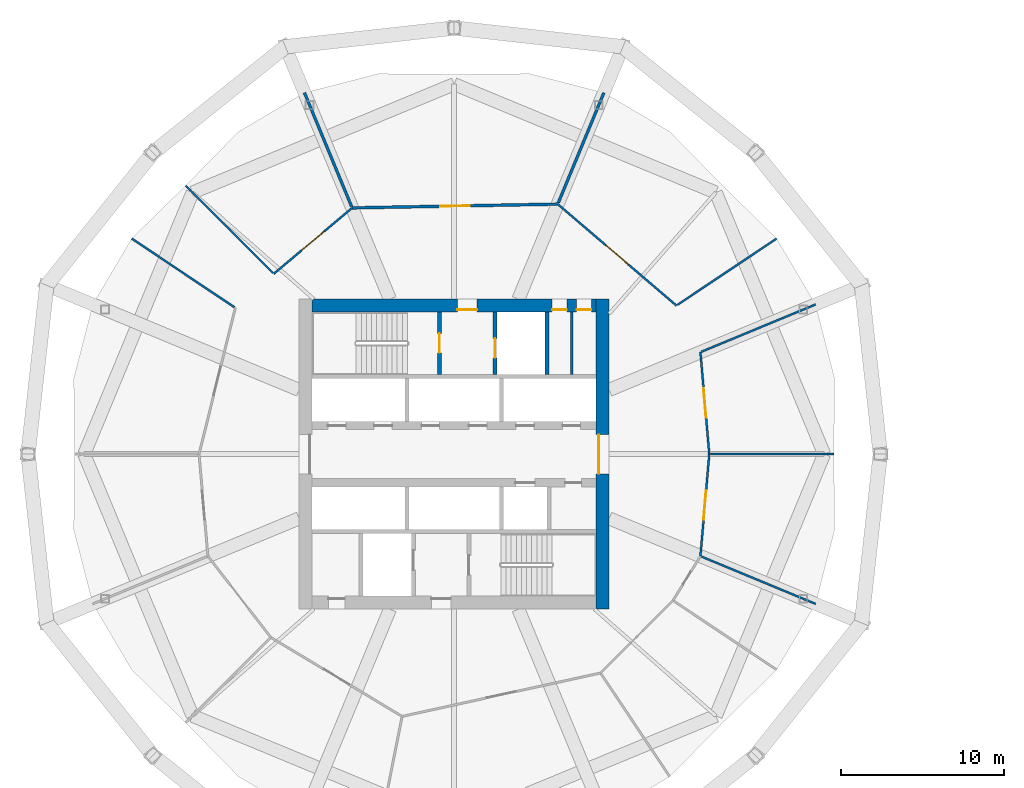
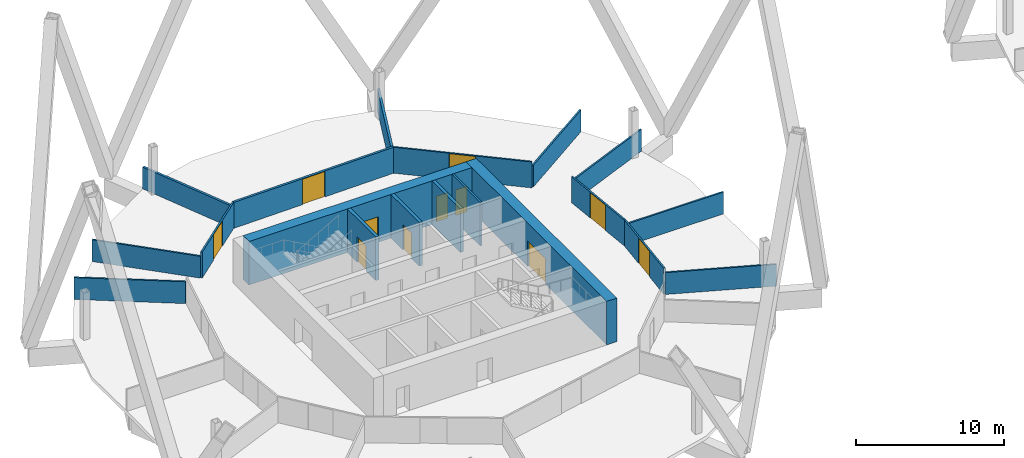
# One storey, part 5 of 9: 19 walls, 11 doors, 11 openings.
"""IFC4 building model written with IfcOpenShell, lengths in metres."""

from ifc_helpers import new_model, si_unit, direction, frame, frame_2d, origin, place, context, subcontext, project, spatial, rectangle, extrude, material, layer, layer_set, type_object, element, fill, save


model = new_model("IFC4")

# Units and contexts
model_context = context("Model", 3, precision=1e-05, world=origin(), true_north=direction((0.0, 1.0)))
body_context = subcontext(model_context, "Body", "Model", "MODEL_VIEW")
ifc_project = project(units=[si_unit("LENGTHUNIT", "METRE"), si_unit("AREAUNIT", "SQUARE_METRE"), si_unit("VOLUMEUNIT", "CUBIC_METRE"), si_unit("PLANEANGLEUNIT", "RADIAN"), si_unit("MASSUNIT", "GRAM", prefix="KILO")], contexts=[model_context])

# Site, building, storey
site_placement = place(None, origin())
site = spatial("IfcSite", under=ifc_project, at=site_placement, CompositionType="ELEMENT")
building_placement = place(site_placement, origin())
building = spatial("IfcBuilding", under=site, at=building_placement, Name="Ogive Gate Towers", CompositionType="ELEMENT")
storey_placement = place(building_placement, frame((0.0, 0.0, 95.699951171875)))
storey = spatial("IfcBuildingStorey", under=building, at=storey_placement, Name="L22", CompositionType="ELEMENT", Elevation=95.699951171875)

# Walls
ifc_material_1 = material(Name="Gypsum board acoustic partition")
ifc_layer_1 = layer(ifc_material_1, 0.175048828125)
ifc_layer_set_1 = layer_set([ifc_layer_1], Name="Acoustic partition 175")
wall_type_1 = type_object("IfcWallType", Name="Acoustic partition 175", PredefinedType="PARTITIONING", material=ifc_layer_set_1)
wall_1_placement = place(storey_placement, frame((-26.8271484375, 22.1455078125, 0.0), z_axis=(0.0, 0.0, 1.0), x_axis=(-0.382651040755, -0.92389294889, 0.0)))
element("IfcWall", 1, at=wall_1_placement, inside=storey, type_object=wall_type_1, Name="Partition T1-L22-004", PredefinedType="PARTITIONING", context=body_context, shape_type="SweptSolid", body=[
    extrude(rectangle(XDim=7.301513671875, YDim=0.175048828125, at=frame_2d((3.65087890625, 0.0))), origin(), (0.0, 0.0, 1.0), 1.800048828125),
])
wall_2_placement = place(storey_placement, frame((-45.1728515625, 22.1455078125, 0.0), z_axis=(0.0, 0.0, 1.0), x_axis=(0.382656362014, -0.923890744953, 0.0)))
element("IfcWall", 2, at=wall_2_placement, inside=storey, type_object=wall_type_1, Name="Partition T1-L22-005", PredefinedType="PARTITIONING", context=body_context, shape_type="SweptSolid", body=[
    extrude(rectangle(XDim=7.551513671875, YDim=0.175048828125, at=frame_2d((3.77587890625, 0.0))), origin(), (0.0, 0.0, 1.0), 1.800048828125),
])

# Wall, opening, door
wall_3_placement = place(storey_placement, frame((-29.65478515625, 15.31884765625, 0.0), z_axis=(0.0, 0.0, 1.0), x_axis=(-0.999831908643, -0.018334515499, 0.0)))
wall_3 = element("IfcWall", 3, at=wall_3_placement, inside=storey, type_object=wall_type_1, Name="Partition T1-L22-016", PredefinedType="PARTITIONING", context=body_context, shape_type="SweptSolid", body=[
    extrude(rectangle(XDim=12.596923828125, YDim=0.175048828125, at=frame_2d((6.29833984375, 0.0))), origin(), (0.0, 0.0, 1.0), 2.14013671875),
])
opening_1_placement = place(wall_3_placement, frame((5.39892578125, 0.0, 0.0)))
opening_1 = element("IfcOpeningElement", 4, at=opening_1_placement, cuts=wall_3, Name="Opening T1-L22-D02", PredefinedType="OPENING", context=body_context, shape_type="SweptSolid", body=[
    extrude(rectangle(XDim=1.800048828125, YDim=2.10009765625, at=frame_2d((0.89990234375, 1.050048828125))), frame((0.0, 0.09765625, 0.0), z_axis=(0.0, -1.0, 0.0), x_axis=(1.0, 0.0, 0.0)), (0.0, 0.0, 1.0), 0.195068359375),
])
ifc_material_2 = material(Name="Timber door", Category="wood")
door_type_1 = type_object("IfcDoorType", Name="Door pair 1800", OperationType="NOTDEFINED", PredefinedType="DOOR", material=ifc_material_2)
door_1_placement = place(opening_1_placement, origin())
door_1 = element("IfcDoor", 5, at=door_1_placement, inside=storey, type_object=door_type_1, Name="Door T1-L22-D02", OperationType="DOUBLE_DOOR_DOUBLE_SWING", OverallHeight=2.10009765625, OverallWidth=1.800048828125, PredefinedType="DOOR", context=body_context, shape_type="SweptSolid", body=[
    extrude(rectangle(XDim=1.800048828125, YDim=2.10009765625, at=frame_2d((0.89990234375, 1.050048828125))), frame((0.0, 0.02490234375, 0.0), z_axis=(0.0, -1.0, 0.0), x_axis=(1.0, 0.0, 0.0)), (0.0, 0.0, 1.0), 0.050048828125),
])
fill(opening_1, door_1)

# Wall, openings, doors
ifc_material_3 = material(Name="Concrete C60/75", Category="concrete")
ifc_layer_2 = layer(ifc_material_3, 0.800048828125)
ifc_layer_set_2 = layer_set([ifc_layer_2], Name="Core wall 800 mm")
wall_type_2 = type_object("IfcWallType", Name="Core wall 800 mm", PredefinedType="SHEAR", material=ifc_layer_set_2)
wall_4_placement = place(storey_placement, frame((-44.699951171875, 9.10009765625, 0.0), z_axis=(0.0, 0.0, 1.0), x_axis=(1.0, 0.0, 0.0)))
wall_4 = element("IfcWall", 6, at=wall_4_placement, inside=storey, type_object=wall_type_2, Name="T1 L22 Core wall 800 mm", PredefinedType="SHEAR", context=body_context, shape_type="SweptSolid", body=[
    extrude(rectangle(XDim=17.39990234375, YDim=0.800048828125, at=frame_2d((8.699951171875, 0.0))), origin(), (0.0, 0.0, 1.0), 3.60009765625),
])
opening_2_placement = place(wall_4_placement, frame((8.89990234375, 0.0, 0.0)))
opening_2 = element("IfcOpeningElement", 7, at=opening_2_placement, cuts=wall_4, Name="Opening KD-T1-L22-15", PredefinedType="OPENING", context=body_context, shape_type="SweptSolid", body=[
    extrude(rectangle(XDim=1.199951171875, YDim=2.10009765625, at=frame_2d((0.60009765625, 1.050048828125))), frame((0.0, 0.41015625, 0.0), z_axis=(0.0, -1.0, 0.0), x_axis=(1.0, 0.0, 0.0)), (0.0, 0.0, 1.0), 0.820068359375),
])
opening_3_placement = place(wall_4_placement, frame((14.699951171875, 0.0, 0.0)))
opening_3 = element("IfcOpeningElement", 8, at=opening_3_placement, cuts=wall_4, Name="Opening KD-T1-L22-17", PredefinedType="OPENING", context=body_context, shape_type="SweptSolid", body=[
    extrude(rectangle(XDim=0.89990234375, YDim=2.10009765625, at=frame_2d((0.449951171875, 1.050048828125))), frame((0.0, 0.41015625, 0.0), z_axis=(0.0, -1.0, 0.0), x_axis=(1.0, 0.0, 0.0)), (0.0, 0.0, 1.0), 0.820068359375),
])
opening_4_placement = place(wall_4_placement, frame((16.199951171875, 0.0, 0.0)))
opening_4 = element("IfcOpeningElement", 9, at=opening_4_placement, cuts=wall_4, Name="Opening KD-T1-L22-18", PredefinedType="OPENING", context=body_context, shape_type="SweptSolid", body=[
    extrude(rectangle(XDim=0.89990234375, YDim=2.10009765625, at=frame_2d((0.449951171875, 1.050048828125))), frame((0.0, 0.41015625, 0.0), z_axis=(0.0, -1.0, 0.0), x_axis=(1.0, 0.0, 0.0)), (0.0, 0.0, 1.0), 0.820068359375),
])
door_type_2 = type_object("IfcDoorType", Name="Core WC door 900 x 2100", OperationType="NOTDEFINED", PredefinedType="DOOR", material=ifc_material_2)
door_2_placement = place(opening_3_placement, origin())
door_2 = element("IfcDoor", 10, at=door_2_placement, inside=storey, type_object=door_type_2, Name="T1 L22 Core door", OperationType="SINGLE_SWING_RIGHT", OverallHeight=2.10009765625, OverallWidth=0.89990234375, PredefinedType="DOOR", context=body_context, shape_type="SweptSolid", body=[
    extrude(rectangle(XDim=0.89990234375, YDim=2.10009765625, at=frame_2d((0.449951171875, 1.050048828125))), frame((0.0, -0.22509765625, 0.0), z_axis=(0.0, -1.0, 0.0), x_axis=(1.0, 0.0, 0.0)), (0.0, 0.0, 1.0), 0.050048828125),
])
fill(opening_3, door_2)
door_3_placement = place(opening_4_placement, origin())
door_3 = element("IfcDoor", 11, at=door_3_placement, inside=storey, type_object=door_type_2, Name="T1 L22 Core door", OperationType="SINGLE_SWING_LEFT", OverallHeight=2.10009765625, OverallWidth=0.89990234375, PredefinedType="DOOR", context=body_context, shape_type="SweptSolid", body=[
    extrude(rectangle(XDim=0.89990234375, YDim=2.10009765625, at=frame_2d((0.449951171875, 1.050048828125))), frame((0.0, -0.22509765625, 0.0), z_axis=(0.0, -1.0, 0.0), x_axis=(1.0, 0.0, 0.0)), (0.0, 0.0, 1.0), 0.050048828125),
])
fill(opening_4, door_3)
ifc_material_4 = material(Name="Steel fire door", Category="steel")
door_type_3 = type_object("IfcDoorType", Name="Core door FD60S 1200 x 2100", OperationType="NOTDEFINED", PredefinedType="DOOR", material=ifc_material_4)
door_4_placement = place(opening_2_placement, origin())
door_4 = element("IfcDoor", 12, at=door_4_placement, inside=storey, type_object=door_type_3, Name="T1 L22 Fire-fighting lobby door", OperationType="SINGLE_SWING_RIGHT", OverallHeight=2.10009765625, OverallWidth=1.199951171875, PredefinedType="DOOR", context=body_context, shape_type="SweptSolid", body=[
    extrude(rectangle(XDim=1.199951171875, YDim=2.10009765625, at=frame_2d((0.60009765625, 1.050048828125))), frame((0.0, -0.22509765625, 0.0), z_axis=(0.0, -1.0, 0.0), x_axis=(1.0, 0.0, 0.0)), (0.0, 0.0, 1.0), 0.050048828125),
])
fill(opening_2, door_4)

# Wall, opening, door
wall_5_placement = place(storey_placement, frame((-26.89990234375, -9.5, 0.0), z_axis=(0.0, 0.0, 1.0), x_axis=(0.0, 1.0, 0.0)))
wall_5 = element("IfcWall", 13, at=wall_5_placement, inside=storey, type_object=wall_type_2, Name="T1 L22 Core wall 800 mm", PredefinedType="SHEAR", context=body_context, shape_type="SweptSolid", body=[
    extrude(rectangle(XDim=19.0, YDim=0.800048828125, at=frame_2d((9.5, 0.0))), origin(), (0.0, 0.0, 1.0), 3.60009765625),
])
opening_5_placement = place(wall_5_placement, frame((8.300048828125, 0.0, 0.0)))
opening_5 = element("IfcOpeningElement", 14, at=opening_5_placement, cuts=wall_5, Name="Opening KD-T1-L22-02", PredefinedType="OPENING", context=body_context, shape_type="SweptSolid", body=[
    extrude(rectangle(XDim=2.39990234375, YDim=2.10009765625, at=frame_2d((1.199951171875, 1.050048828125))), frame((0.0, 0.41015625, 0.0), z_axis=(0.0, -1.0, 0.0), x_axis=(1.0, 0.0, 0.0)), (0.0, 0.0, 1.0), 0.820068359375),
])
door_type_4 = type_object("IfcDoorType", Name="Core double door FD60S 2400 x 2100", OperationType="DOUBLE_DOOR_SINGLE_SWING", PredefinedType="DOOR", material=ifc_material_4)
door_5_placement = place(opening_5_placement, origin())
door_5 = element("IfcDoor", 15, at=door_5_placement, inside=storey, type_object=door_type_4, Name="T1 L22 Core door double", OperationType="DOUBLE_DOOR_SINGLE_SWING", OverallHeight=2.10009765625, OverallWidth=2.39990234375, PredefinedType="DOOR", context=body_context, shape_type="SweptSolid", body=[
    extrude(rectangle(XDim=2.39990234375, YDim=2.10009765625, at=frame_2d((1.199951171875, 1.050048828125))), frame((0.0, 0.27490234375, 0.0), z_axis=(0.0, -1.0, 0.0), x_axis=(1.0, 0.0, 0.0)), (0.0, 0.0, 1.0), 0.050048828125),
])
fill(opening_5, door_5)

# Walls
ifc_material_5 = material(Name="Gypsum board partition")
ifc_layer_3 = layer(ifc_material_5, 0.125)
ifc_layer_set_3 = layer_set([ifc_layer_3], Name="Partition 125")
wall_type_3 = type_object("IfcWallType", Name="Partition 125", PredefinedType="PARTITIONING", material=ifc_layer_set_3)
for number, where, z_axis, x_axis, name in (
    (16, (-12.73095703125, 0.0, 0.0), (0.0, 0.0, 1.0), (-1.0, 0.0, 0.0), "Partition T1-L22-001"),
    (17, (-13.8544921875, 9.1728515625, 0.0), (0.0, 0.0, 1.0), (-0.923883306307, -0.382674321488, 0.0), "Partition T1-L22-002"),
):
    element("IfcWall", number, at=place(storey_placement, frame(where, z_axis=z_axis, x_axis=x_axis)), inside=storey, type_object=wall_type_3, Name=name, PredefinedType="PARTITIONING", context=body_context, shape_type="SweptSolid", body=[
        extrude(rectangle(XDim=7.57666015625, YDim=0.125, at=frame_2d((3.788330078125, 0.0))), origin(), (0.0, 0.0, 1.0), 1.800048828125),
    ])
wall_6_placement = place(storey_placement, frame((-16.240478515625, 13.2119140625, 0.0), z_axis=(0.0, 0.0, 1.0), x_axis=(-0.831290762981, -0.555837806723, 0.0)))
element("IfcWall", 18, at=wall_6_placement, inside=storey, type_object=wall_type_3, Name="Partition T1-L22-003", PredefinedType="PARTITIONING", context=body_context, shape_type="SweptSolid", body=[
    extrude(rectangle(XDim=7.326416015625, YDim=0.125, at=frame_2d((3.6630859375, 0.0))), origin(), (0.0, 0.0, 1.0), 1.800048828125),
])
wall_7_placement = place(storey_placement, frame((-52.45361328125, 16.45361328125, 0.0), z_axis=(0.0, 0.0, 1.0), x_axis=(0.707106781187, -0.707106781187, 0.0)))
element("IfcWall", 19, at=wall_7_placement, inside=storey, type_object=wall_type_3, Name="Partition T1-L22-006", PredefinedType="PARTITIONING", context=body_context, shape_type="SweptSolid", body=[
    extrude(rectangle(XDim=7.57666015625, YDim=0.125, at=frame_2d((3.788330078125, 0.0))), origin(), (0.0, 0.0, 1.0), 1.800048828125),
])
wall_8_placement = place(storey_placement, frame((-55.759521484375, 13.2119140625, 0.0), z_axis=(0.0, 0.0, 1.0), x_axis=(0.831300960788, -0.555822554951, 0.0)))
element("IfcWall", 20, at=wall_8_placement, inside=storey, type_object=wall_type_3, Name="Partition T1-L22-007", PredefinedType="PARTITIONING", context=body_context, shape_type="SweptSolid", body=[
    extrude(rectangle(XDim=7.576416015625, YDim=0.125, at=frame_2d((3.7880859375, 0.0))), origin(), (0.0, 0.0, 1.0), 1.800048828125),
])
wall_9_placement = place(storey_placement, frame((-13.8544921875, -9.1728515625, 0.0), z_axis=(0.0, 0.0, 1.0), x_axis=(-0.923883306307, 0.382674321488, 0.0)))
element("IfcWall", 21, at=wall_9_placement, inside=storey, type_object=wall_type_3, Name="Partition T1-L22-014", PredefinedType="PARTITIONING", context=body_context, shape_type="SweptSolid", body=[
    extrude(rectangle(XDim=7.57666015625, YDim=0.125, at=frame_2d((3.788330078125, 0.0))), origin(), (0.0, 0.0, 1.0), 1.800048828125),
])

# Wall, opening, door
wall_10_placement = place(storey_placement, frame((-22.3828125, 9.10498046875, 0.0), z_axis=(0.0, 0.0, 1.0), x_axis=(-0.760250240989, 0.649630334172, 0.0)))
wall_10 = element("IfcWall", 22, at=wall_10_placement, inside=storey, type_object=wall_type_3, Name="Partition T1-L22-015", PredefinedType="PARTITIONING", context=body_context, shape_type="SweptSolid", body=[
    extrude(rectangle(XDim=9.565185546875, YDim=0.125, at=frame_2d((4.78271484375, 0.0))), origin(), (0.0, 0.0, 1.0), 2.14013671875),
])
opening_6_placement = place(wall_10_placement, frame((3.883056640625, 0.0, 0.0)))
opening_6 = element("IfcOpeningElement", 23, at=opening_6_placement, cuts=wall_10, Name="Opening T1-L22-D01", PredefinedType="OPENING", context=body_context, shape_type="SweptSolid", body=[
    extrude(rectangle(XDim=1.800048828125, YDim=2.10009765625, at=frame_2d((0.89990234375, 1.050048828125))), frame((0.0, 0.072509765625, 0.0), z_axis=(0.0, -1.0, 0.0), x_axis=(1.0, 0.0, 0.0)), (0.0, 0.0, 1.0), 0.14501953125),
])
door_6_placement = place(opening_6_placement, origin())
door_6 = element("IfcDoor", 24, at=door_6_placement, inside=storey, type_object=door_type_1, Name="Door T1-L22-D01", OperationType="DOUBLE_DOOR_DOUBLE_SWING", OverallHeight=2.10009765625, OverallWidth=1.800048828125, PredefinedType="DOOR", context=body_context, shape_type="SweptSolid", body=[
    extrude(rectangle(XDim=1.800048828125, YDim=2.10009765625, at=frame_2d((0.89990234375, 1.050048828125))), frame((0.0, 0.02490234375, 0.0), z_axis=(0.0, -1.0, 0.0), x_axis=(1.0, 0.0, 0.0)), (0.0, 0.0, 1.0), 0.050048828125),
])
fill(opening_6, door_6)

wall_11_placement = place(storey_placement, frame((-42.24951171875, 15.087890625, 0.0), z_axis=(0.0, 0.0, 1.0), x_axis=(-0.765563776313, -0.6433600115, 0.0)))
wall_11 = element("IfcWall", 25, at=wall_11_placement, inside=storey, type_object=wall_type_3, Name="Partition T1-L22-017", PredefinedType="PARTITIONING", context=body_context, shape_type="SweptSolid", body=[
    extrude(rectangle(XDim=6.273193359375, YDim=0.125, at=frame_2d((3.13671875, 0.0))), origin(), (0.0, 0.0, 1.0), 2.14013671875),
])
opening_7_placement = place(wall_11_placement, frame((2.237060546875, 0.0, 0.0)))
opening_7 = element("IfcOpeningElement", 26, at=opening_7_placement, cuts=wall_11, Name="Opening T1-L22-D03", PredefinedType="OPENING", context=body_context, shape_type="SweptSolid", body=[
    extrude(rectangle(XDim=1.800048828125, YDim=2.10009765625, at=frame_2d((0.89990234375, 1.050048828125))), frame((0.0, 0.072509765625, 0.0), z_axis=(0.0, -1.0, 0.0), x_axis=(1.0, 0.0, 0.0)), (0.0, 0.0, 1.0), 0.14501953125),
])
door_7_placement = place(opening_7_placement, origin())
door_7 = element("IfcDoor", 27, at=door_7_placement, inside=storey, type_object=door_type_1, Name="Door T1-L22-D03", OperationType="DOUBLE_DOOR_DOUBLE_SWING", OverallHeight=2.10009765625, OverallWidth=1.800048828125, PredefinedType="DOOR", context=body_context, shape_type="SweptSolid", body=[
    extrude(rectangle(XDim=1.800048828125, YDim=2.10009765625, at=frame_2d((0.89990234375, 1.050048828125))), frame((0.0, 0.02490234375, 0.0), z_axis=(0.0, -1.0, 0.0), x_axis=(1.0, 0.0, 0.0)), (0.0, 0.0, 1.0), 0.050048828125),
])
fill(opening_7, door_7)

wall_12_placement = place(storey_placement, frame((-20.912109375, -6.24951171875, 0.0), z_axis=(0.0, 0.0, 1.0), x_axis=(0.086401208682, 0.996260423352, 0.0)))
wall_12 = element("IfcWall", 28, at=wall_12_placement, inside=storey, type_object=wall_type_3, Name="Partition T1-L22-025", PredefinedType="PARTITIONING", context=body_context, shape_type="SweptSolid", body=[
    extrude(rectangle(XDim=6.27294921875, YDim=0.125, at=frame_2d((3.136474609375, 0.0))), origin(), (0.0, 0.0, 1.0), 2.14013671875),
])
opening_8_placement = place(wall_12_placement, frame((2.237060546875, 0.0, 0.0)))
opening_8 = element("IfcOpeningElement", 29, at=opening_8_placement, cuts=wall_12, Name="Opening T1-L22-D11", PredefinedType="OPENING", context=body_context, shape_type="SweptSolid", body=[
    extrude(rectangle(XDim=1.800048828125, YDim=2.10009765625, at=frame_2d((0.89990234375, 1.050048828125))), frame((0.0, 0.072509765625, 0.0), z_axis=(0.0, -1.0, 0.0), x_axis=(1.0, 0.0, 0.0)), (0.0, 0.0, 1.0), 0.14501953125),
])
door_8_placement = place(opening_8_placement, origin())
door_8 = element("IfcDoor", 30, at=door_8_placement, inside=storey, type_object=door_type_1, Name="Door T1-L22-D11", OperationType="DOUBLE_DOOR_DOUBLE_SWING", OverallHeight=2.10009765625, OverallWidth=1.800048828125, PredefinedType="DOOR", context=body_context, shape_type="SweptSolid", body=[
    extrude(rectangle(XDim=1.800048828125, YDim=2.10009765625, at=frame_2d((0.89990234375, 1.050048828125))), frame((0.0, 0.02490234375, 0.0), z_axis=(0.0, -1.0, 0.0), x_axis=(1.0, 0.0, 0.0)), (0.0, 0.0, 1.0), 0.050048828125),
])
fill(opening_8, door_8)

wall_13_placement = place(storey_placement, frame((-20.3701171875, 0.0, 0.0), z_axis=(0.0, 0.0, 1.0), x_axis=(-0.086401208682, 0.996260423352, 0.0)))
wall_13 = element("IfcWall", 31, at=wall_13_placement, inside=storey, type_object=wall_type_3, Name="Partition T1-L22-026", PredefinedType="PARTITIONING", context=body_context, shape_type="SweptSolid", body=[
    extrude(rectangle(XDim=6.27294921875, YDim=0.125, at=frame_2d((3.136474609375, 0.0))), origin(), (0.0, 0.0, 1.0), 2.14013671875),
])
opening_9_placement = place(wall_13_placement, frame((2.237060546875, 0.0, 0.0)))
opening_9 = element("IfcOpeningElement", 32, at=opening_9_placement, cuts=wall_13, Name="Opening T1-L22-D12", PredefinedType="OPENING", context=body_context, shape_type="SweptSolid", body=[
    extrude(rectangle(XDim=1.800048828125, YDim=2.10009765625, at=frame_2d((0.89990234375, 1.050048828125))), frame((0.0, 0.072509765625, 0.0), z_axis=(0.0, -1.0, 0.0), x_axis=(1.0, 0.0, 0.0)), (0.0, 0.0, 1.0), 0.14501953125),
])
door_9_placement = place(opening_9_placement, origin())
door_9 = element("IfcDoor", 33, at=door_9_placement, inside=storey, type_object=door_type_1, Name="Door T1-L22-D12", OperationType="DOUBLE_DOOR_DOUBLE_SWING", OverallHeight=2.10009765625, OverallWidth=1.800048828125, PredefinedType="DOOR", context=body_context, shape_type="SweptSolid", body=[
    extrude(rectangle(XDim=1.800048828125, YDim=2.10009765625, at=frame_2d((0.89990234375, 1.050048828125))), frame((0.0, 0.02490234375, 0.0), z_axis=(0.0, -1.0, 0.0), x_axis=(1.0, 0.0, 0.0)), (0.0, 0.0, 1.0), 0.050048828125),
])
fill(opening_9, door_9)

# Wall
ifc_layer_4 = layer(ifc_material_5, 0.14990234375)
ifc_layer_set_4 = layer_set([ifc_layer_4], Name="Room partition 150 mm")
wall_type_4 = type_object("IfcWallType", Name="Room partition 150 mm", PredefinedType="PARTITIONING", material=ifc_layer_set_4)
wall_14_placement = place(storey_placement, frame((-28.800048828125, 4.875, 0.0), z_axis=(0.0, 0.0, 1.0), x_axis=(0.0, 1.0, 0.0)))
element("IfcWall", 34, at=wall_14_placement, inside=storey, type_object=wall_type_4, Name="T1 L22 Room partition 150 mm", PredefinedType="PARTITIONING", context=body_context, shape_type="SweptSolid", body=[
    extrude(rectangle(XDim=3.824951171875, YDim=0.14990234375, at=frame_2d((1.91259765625, 0.0))), origin(), (0.0, 0.0, 1.0), 3.60009765625),
])

# Wall, opening, door
ifc_layer_5 = layer(ifc_material_3, 0.25)
ifc_layer_set_5 = layer_set([ifc_layer_5], Name="Shaft wall 250 mm")
wall_type_5 = type_object("IfcWallType", Name="Shaft wall 250 mm", PredefinedType="SHEAR", material=ifc_layer_set_5)
wall_15_placement = place(storey_placement, frame((-36.89990234375, 4.875, 0.0), z_axis=(0.0, 0.0, 1.0), x_axis=(0.0, 1.0, 0.0)))
wall_15 = element("IfcWall", 35, at=wall_15_placement, inside=storey, type_object=wall_type_5, Name="T1 L22 Shaft wall 250 mm", PredefinedType="SHEAR", context=body_context, shape_type="SweptSolid", body=[
    extrude(rectangle(XDim=3.824951171875, YDim=0.25, at=frame_2d((1.91259765625, 0.0))), origin(), (0.0, 0.0, 1.0), 3.60009765625),
])
opening_10_placement = place(wall_15_placement, frame((1.324951171875, 0.0, 0.0)))
opening_10 = element("IfcOpeningElement", 36, at=opening_10_placement, cuts=wall_15, Name="Opening KD-T1-L22-13", PredefinedType="OPENING", context=body_context, shape_type="SweptSolid", body=[
    extrude(rectangle(XDim=1.199951171875, YDim=2.10009765625, at=frame_2d((0.60009765625, 1.050048828125))), frame((0.0, 0.135009765625, 0.0), z_axis=(0.0, -1.0, 0.0), x_axis=(1.0, 0.0, 0.0)), (0.0, 0.0, 1.0), 0.27001953125),
])
door_10_placement = place(opening_10_placement, origin())
door_10 = element("IfcDoor", 37, at=door_10_placement, inside=storey, type_object=door_type_3, Name="T1 L22 Stair door", OperationType="SINGLE_SWING_RIGHT", OverallHeight=2.10009765625, OverallWidth=1.199951171875, PredefinedType="DOOR", context=body_context, shape_type="SweptSolid", body=[
    extrude(rectangle(XDim=1.199951171875, YDim=2.10009765625, at=frame_2d((0.60009765625, 1.050048828125))), frame((0.0, 0.02490234375, 0.0), z_axis=(0.0, -1.0, 0.0), x_axis=(1.0, 0.0, 0.0)), (0.0, 0.0, 1.0), 0.050048828125),
])
fill(opening_10, door_10)

wall_16_placement = place(storey_placement, frame((-33.5, 4.875, 0.0), z_axis=(0.0, 0.0, 1.0), x_axis=(0.0, 1.0, 0.0)))
wall_16 = element("IfcWall", 38, at=wall_16_placement, inside=storey, type_object=wall_type_5, Name="T1 L22 Shaft wall 250 mm", PredefinedType="SHEAR", context=body_context, shape_type="SweptSolid", body=[
    extrude(rectangle(XDim=3.824951171875, YDim=0.25, at=frame_2d((1.91259765625, 0.0))), origin(), (0.0, 0.0, 1.0), 3.60009765625),
])
opening_11_placement = place(wall_16_placement, frame((1.02490234375, 0.0, 0.0)))
opening_11 = element("IfcOpeningElement", 39, at=opening_11_placement, cuts=wall_16, Name="Opening LD-T1-L22-10", PredefinedType="OPENING", context=body_context, shape_type="SweptSolid", body=[
    extrude(rectangle(XDim=1.199951171875, YDim=2.10009765625, at=frame_2d((0.60009765625, 1.050048828125))), frame((0.0, 0.135009765625, 0.0), z_axis=(0.0, -1.0, 0.0), x_axis=(1.0, 0.0, 0.0)), (0.0, 0.0, 1.0), 0.27001953125),
])
ifc_material_6 = material(Name="Stainless steel landing door", Category="steel")
door_type_5 = type_object("IfcDoorType", Name="Landing door 1200 x 2100", OperationType="SLIDING_TO_LEFT", PredefinedType="DOOR", material=ifc_material_6)
door_11_placement = place(opening_11_placement, origin())
door_11 = element("IfcDoor", 40, at=door_11_placement, inside=storey, type_object=door_type_5, Name="T1 L22 Lift landing door FF1", OperationType="SLIDING_TO_LEFT", OverallHeight=2.10009765625, OverallWidth=1.199951171875, PredefinedType="DOOR", context=body_context, shape_type="SweptSolid", body=[
    extrude(rectangle(XDim=1.199951171875, YDim=2.10009765625, at=frame_2d((0.60009765625, 1.050048828125))), frame((0.0, 0.02490234375, 0.0), z_axis=(0.0, -1.0, 0.0), x_axis=(1.0, 0.0, 0.0)), (0.0, 0.0, 1.0), 0.050048828125),
])
fill(opening_11, door_11)

# Wall
wall_17_placement = place(storey_placement, frame((-30.300048828125, 4.875, 0.0), z_axis=(0.0, 0.0, 1.0), x_axis=(0.0, 1.0, 0.0)))
element("IfcWall", 41, at=wall_17_placement, inside=storey, type_object=wall_type_5, Name="T1 L22 Shaft wall 250 mm", PredefinedType="SHEAR", context=body_context, shape_type="SweptSolid", body=[
    extrude(rectangle(XDim=3.824951171875, YDim=0.25, at=frame_2d((1.91259765625, 0.0))), origin(), (0.0, 0.0, 1.0), 3.60009765625),
])

save(model, "model.ifc")
